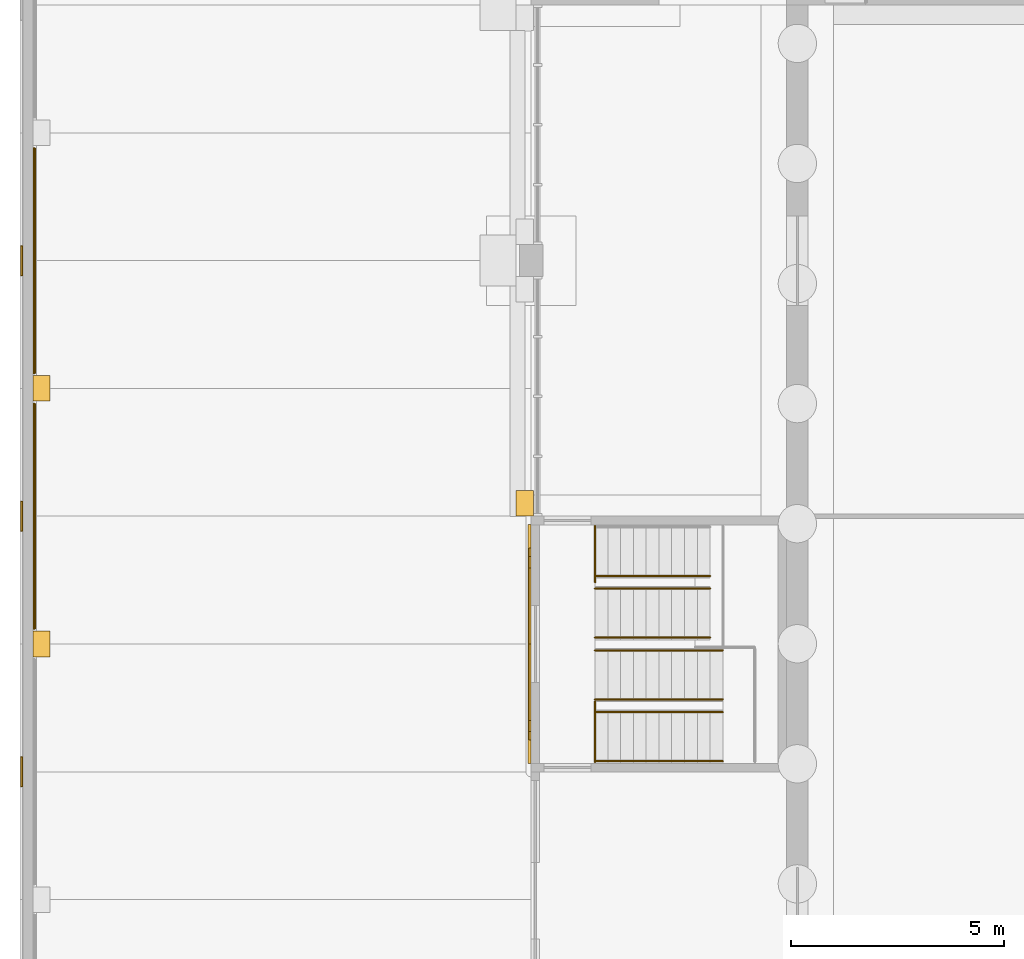
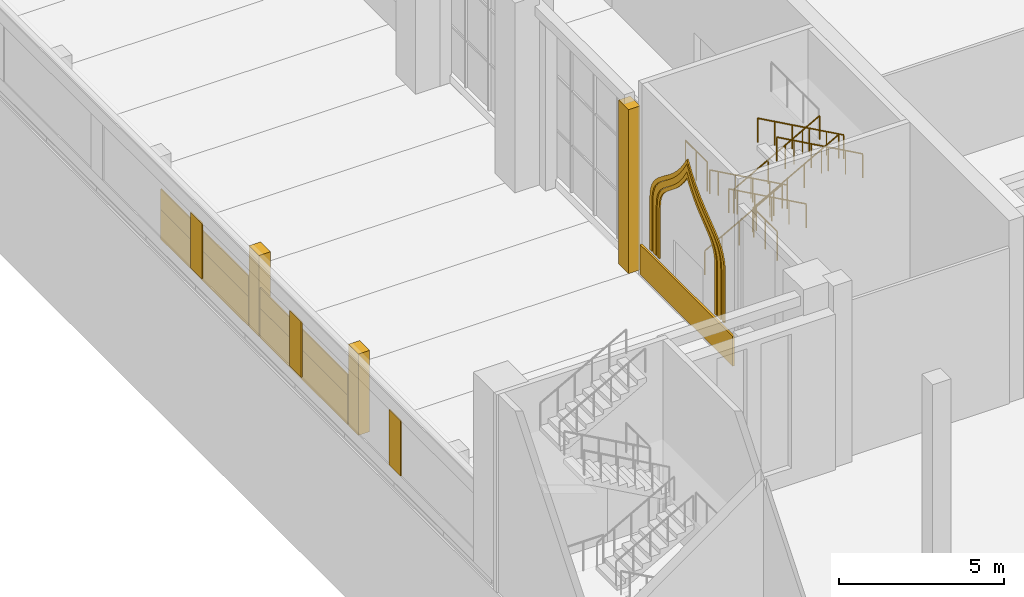
# One storey, part 66 of 95: 14 coverings, 9 railings.
"""IFC4 building model written with IfcOpenShell, lengths in metres."""

from ifc_helpers import new_model, si_unit, direction, frame, origin, origin_2d, place, context, subcontext, project, spatial, polyline, rectangle, circle, outline, extrude, material, layer, layer_set, type_object, element, save


model = new_model("IFC4")

# Units and contexts
model_context = context("Model", 3, precision=1e-05, world=origin(), true_north=direction((0.0, 1.0)))
body_context = subcontext(model_context, "Body", "Model", "MODEL_VIEW")
ifc_project = project(units=[si_unit("LENGTHUNIT", "METRE"), si_unit("AREAUNIT", "SQUARE_METRE"), si_unit("VOLUMEUNIT", "CUBIC_METRE"), si_unit("PLANEANGLEUNIT", "RADIAN"), si_unit("MASSUNIT", "GRAM", prefix="KILO")], contexts=[model_context])

# Site, building, storey
site_placement = place(None, origin())
site = spatial("IfcSite", under=ifc_project, at=site_placement, CompositionType="ELEMENT")
building_placement = place(site_placement, origin())
building = spatial("IfcBuilding", under=site, at=building_placement, Name="Saffron Lane Theatres", CompositionType="ELEMENT")
storey_placement = place(building_placement, origin())
storey = spatial("IfcBuildingStorey", under=building, at=storey_placement, Name="L00", CompositionType="ELEMENT", Elevation=0.0)

# Coverings
ifc_material_1 = material(Name="Masonry sandstone", Category="masonry")
ifc_layer_1 = layer(ifc_material_1, 0.050048828125)
ifc_layer_set_1 = layer_set([ifc_layer_1], Name="Masonry sandstone")
covering_type_1 = type_object("IfcCoveringType", Name="EX-ARCH FRAME RING SANDSTONE 50", PredefinedType="CLADDING", material=ifc_layer_set_1)
covering_1_placement = place(storey_placement, frame((12.0, 37.220947265625, 3.31103515625), z_axis=(1.0, 0.0, 0.0), x_axis=(0.0, -0.060212267817, -0.99818559537)))
element("IfcCovering", 1, at=covering_1_placement, inside=storey, type_object=covering_type_1, Name="Arch recess ring L00", PredefinedType="CLADDING", context=body_context, shape_type="SweptSolid", body=[
    extrude(outline(polyline([(0.0, 0.0), (0.18245996245064686, -1.734723475976807e-18), (2.0579571162514476, 0.11313320632846652), (2.050724587988245, 0.2330324526473327), (0.17912659666935885, 0.12013445049002722), (0.008851516974694298, 0.1208694635249055), (-0.13960380243034332, 0.14101992754420883), (-0.27042632246488074, 0.1810670310814375), (-0.3880257946657277, 0.2370760043565431), (-0.4986122624964559, 0.31062892209304366), (-0.603885402766164, 0.39746532206832463), (-0.708349375352586, 0.499270180830787), (-0.8142206528964551, 0.6122410309466604), (-0.9258563926685295, 0.7356258724131494), (-1.0450444730420934, 0.8666264289383572), (-1.175625255456271, 1.0040327057306444), (-1.3213214992646054, 1.144685126757414), (-1.4861878630399454, 1.2868716016560897), (-1.6721445275018532, 1.4299871330308516), (-1.882826050439687, 1.5694099589183848), (-2.040617995422439, 1.659192944482378), (-1.8947626621261104, 1.767292454875538), (-1.7023682634960484, 1.931029511956845), (-1.5349633280344688, 2.0954604213430774), (-1.3883840885669005, 2.256433829413242), (-1.2607103643737818, 2.4145547335631594), (-1.1475346906255224, 2.5656864804325337), (-1.0449579048402078, 2.7100642741925265), (-0.9489632424503434, 2.8459737377733414), (-0.8574394193472985, 2.9708517990542433), (-0.7659704772175246, 3.0844756674175486), (-0.6719577366421521, 3.184311671263917), (-0.5709558387862367, 3.2696496246654263), (-0.4609417011053337, 3.339388641432058), (-0.3358816832642421, 3.394871018701731), (-0.1909838269480154, 3.4336953872213822), (-0.02197296967334153, 3.4539183725267932), (1.8496250216455448, 3.5668163746840986), (1.8423924933823423, 3.6867156210029646), (-0.03310466041845825, 3.5735824146744983), (-0.2142415994063242, 3.5516496257137304), (-0.3750470978320768, 3.508930668126604), (-0.5175148377187658, 3.446039032792898), (-0.6428401135973336, 3.366571383496617), (-0.754264496287823, 3.2715551051242904), (-0.8570526391547226, 3.163118468752466), (-0.9530868289122405, 3.044082944417697), (-1.0463985303885692, 2.9164066068448986), (-1.142378492517736, 2.780253445608964), (-1.2440392887253622, 2.63690924351224), (-1.3551392856631255, 2.487859380230101), (-1.480212043730155, 2.335276227621187), (-1.6211630433853152, 2.1783110906345584), (-1.7838178346068216, 2.020281328100966), (-1.9696239030646943, 1.860855040801105), (-2.26018958268524, 1.6459480095938712), (-1.9458976822988232, 1.4675270254379955), (-1.742333698918291, 1.332566545353323), (-1.5618033906885445, 1.1942599592614251), (-1.403079775850027, 1.0565946312084007), (-1.2604990072921967, 0.9189338765698157), (-1.132287906902467, 0.7843196692926863), (-1.0141922192349622, 0.6552098929656452), (-0.9024829781593999, 0.530606563223558), (-0.7945004165069005, 0.415072640986949), (-0.6848537853434367, 0.30844413668092546), (-0.569776224533372, 0.21314953337272505), (-0.44773825361924, 0.13221610474866663), (-0.31376922445050365, 0.06838953283459553), (-0.16483336985688563, 0.024054199915656917), (0.0, 0.0)])), origin(), (0.0, 0.0, -1.0), 0.050048828125),
])
covering_2_placement = place(storey_placement, frame((12.0, 36.962890625, 3.333984375), z_axis=(1.0, 0.0, 0.0), x_axis=(0.0, -0.063270109204, -0.997996439513)))
element("IfcCovering", 2, at=covering_2_placement, inside=storey, type_object=covering_type_1, Name="Arch recess ring L00", PredefinedType="CLADDING", context=body_context, shape_type="SweptSolid", body=[
    extrude(outline(polyline([(0.0, 0.0), (0.20451131328636926, 0.0), (2.0806276668637502, 0.11894039083684353), (2.067976734383832, 0.31849094844461956), (0.19770801619422412, 0.19992128090389083), (0.0144407216005487, 0.20053419842883544), (-0.1432761019235517, 0.22258203382804242), (-0.2813055365698555, 0.2659377152798876), (-0.40748727254448935, 0.3269240290838356), (-0.5257351802433071, 0.4055374778503005), (-0.6390348645762146, 0.5025673058291871), (-0.7523176448594566, 0.6147653124425081), (-0.8697101493553678, 0.7416252505476917), (-0.9917579708393627, 0.8801769620388366), (-1.124428821741667, 1.0280850650198985), (-1.2693046879516765, 1.1832922200669196), (-1.4318505321466313, 1.3432502874173748), (-1.61456115889787, 1.5048655345333244), (-1.820983212694718, 1.6662006990332623), (-2.0556688375324716, 1.8257440342686455), (-2.188717697959195, 1.9024406220928562), (-2.066419813119802, 1.9953254605140816), (-1.8537613307928715, 2.18322912790225), (-1.6693664195068467, 2.369340966025863), (-1.5085284672263832, 2.552736206788559), (-1.367484574206089, 2.731940991928976), (-1.2433692125785105, 2.9042014185972795), (-1.1304393771943213, 3.067679900015165), (-1.0268659333000492, 3.2205353520147404), (-0.9264340196013918, 3.3612047329002017), (-0.8282273200268198, 3.486810565389676), (-0.728088312705989, 3.597371793676754), (-0.6207149550265398, 3.69028898295165), (-0.5033070037266237, 3.767696706658345), (-0.37179612037033916, 3.82716194744152), (-0.2181263594954924, 3.868950798358842), (-0.036403745302295454, 3.8927030282829542), (1.833864972887312, 4.011272695823683), (1.8212140404073933, 4.2108232534314585), (-0.05490231316998792, 4.091882862594615), (-0.25777626523185, 4.066055806298615), (-0.4400543814709548, 4.016337498842459), (-0.6007775027933451, 3.9430333789166583), (-0.7421419898590216, 3.8499182956810216), (-0.8672570220099287, 3.7397307051813806), (-0.9817455273529403, 3.6162728527959676), (-1.0873594066215049, 3.480167565320222), (-1.1904062019339534, 3.334439793296892), (-1.295867070408131, 3.1804861609673156), (-1.405753011055981, 3.0191576997974177), (-1.527512589348264, 2.8521838689374683), (-1.6619848873364846, 2.6812238882968886), (-1.8152920854909174, 2.506378890724539), (-1.9914252882274395, 2.3288636362032866), (-2.193447334475981, 2.15068562635549), (-2.5481036228327842, 1.8796565861857983), (-2.162059428738258, 1.6555858301906534), (-1.9391533034752475, 1.5043470465272013), (-1.7420896813122417, 1.3517145531137325), (-1.567913850947345, 1.1973864086493233), (-1.4128664100247506, 1.0438026252684656), (-1.2709950929182379, 0.8935422363416936), (-1.1416152856163493, 0.747382536704494), (-1.0175564651204108, 0.6079797937474251), (-0.896931206850517, 0.47643218780048757), (-0.77497460894489, 0.35475421526521117), (-0.6458116397973328, 0.2467431668845833), (-0.5077830794984254, 0.15323812471010928), (-0.3557911912774569, 0.07872099349623404), (-0.18715930630461686, 0.0272755584828641), (0.0, 0.0)])), origin(), (0.0, 0.0, -1.0), 0.050048828125),
])
covering_3_placement = place(storey_placement, frame((12.0, 36.763916015625, 3.34912109375), z_axis=(1.0, 0.0, 0.0), x_axis=(0.0, -0.063067105822, -0.998009288616)))
element("IfcCovering", 3, at=covering_3_placement, inside=storey, type_object=covering_type_1, Name="Arch recess ring L00", PredefinedType="CLADDING", context=body_context, shape_type="SweptSolid", body=[
    extrude(outline(polyline([(0.0, 0.0), (0.22065410238359984, 0.0), (2.095819992321758, 0.11849717929764414), (2.08699737229349, 0.2581112716747965), (0.21572995613898713, 0.13986044825926805), (0.01120324984086172, 0.1401457024385599), (-0.16661464303161863, 0.166826152522514), (-0.32408683559152085, 0.21607490839936183), (-0.46710723024222456, 0.28825340008036515), (-0.6001051004476012, 0.3799015700062919), (-0.7281663985634338, 0.4902087668589081), (-0.8536968762192425, 0.6185337089889348), (-0.9827851974313513, 0.7605775943042785), (-1.1168470981407341, 0.9155170755147107), (-1.261591713839184, 1.080789727293752), (-1.418829706234838, 1.2540794801970379), (-1.5953961004210881, 1.4312849950160573), (-1.7941531627651468, 1.6112468863933098), (-2.017809187207904, 1.7903692228565102), (-2.272363155580528, 1.966805145670982), (-2.4713360494485013, 2.0843733579964816), (-2.288745821741221, 2.2260536522840537), (-2.0584271132717276, 2.4331300879366635), (-1.859098732187894, 2.6389820376094155), (-1.684576929746966, 2.8425325046992453), (-1.5317222892143505, 3.04055509155704), (-1.3975493662817773, 3.232259946648473), (-1.2747612185768877, 3.414438770837703), (-1.1612700340241646, 3.5850218505624816), (-1.0510895267644345, 3.7421858281426754), (-0.9427115774009303, 3.8852921231996427), (-0.8295548101530967, 4.010842590258168), (-0.7091518844208844, 4.118503892521613), (-0.5763552588779816, 4.208112062862301), (-0.42633533175207877, 4.2767921389410235), (-0.2532905840955898, 4.325644618415389), (-0.050426780001745275, 4.35167406227577), (1.8208406361527578, 4.469924885691299), (1.8120180161244899, 4.609538978068451), (-0.06314787381366846, 4.491041798770807), (-0.28204669053719406, 4.463265173062264), (-0.4748093632101681, 4.409007991296921), (-0.6452138889458251, 4.329988531727125), (-0.7951660141787333, 4.229266523603667), (-0.9280950019828605, 4.110783931167464), (-1.0496511001501079, 3.9749175816724094), (-1.1644664475692028, 3.825288798534778), (-1.2765780932074908, 3.6638441173757603), (-1.3909823072355991, 3.4922248302345396), (-1.5116545496503437, 3.3114028542863916), (-1.6450992100191186, 3.1236580619491425), (-1.7933887031748097, 2.9308165121735614), (-1.9622040713945823, 2.7337423414364994), (-2.1560542756261065, 2.5341076362624033), (-2.3787173129826167, 2.333630674903618), (-2.718645480099129, 2.068745156724768), (-2.3480768001444785, 1.8487579980615008), (-2.101948365016449, 1.6779053315271268), (-1.8845095850723483, 1.5042611719162358), (-1.6922288190810568, 1.330005714760139), (-1.5208434619770204, 1.1573653473180439), (-1.3648264439093958, 0.987912479227884), (-1.2223517059274132, 0.8237195253225451), (-1.0872535978015876, 0.667867014636728), (-0.9557106319614249, 0.5218195761099406), (-0.8229728941184138, 0.38783439148665516), (-0.6852804856725893, 0.26835070815229334), (-0.5384939794994548, 0.16754415025789063), (-0.37705551126290276, 0.08649981821842358), (-0.19805932413846122, 0.029560004583244877), (0.0, 0.0)])), origin(), (0.0, 0.0, -1.0), 0.050048828125),
])
ifc_material_2 = material(Name="Masonry sandstone", Category="masonry")
ifc_layer_2 = layer(ifc_material_2, 0.0400390625)
ifc_layer_set_2 = layer_set([ifc_layer_2], Name="Masonry sandstone")
covering_type_2 = type_object("IfcCoveringType", Name="EX-BANDING COURSE SANDSTONE 40", PredefinedType="CLADDING", material=ifc_layer_set_2)
for number, where, z_axis, x_axis, name in (
    (4, (0.330078125, 42.0, 1.10009765625), (0.0, 0.0, 1.0), (0.0, 1.0, 0.0), "Banding course L00"),
    (5, (0.330078125, 48.0, 1.10009765625), (0.0, 0.0, 1.0), (0.0, 1.0, 0.0), "Banding course L00"),
):
    element("IfcCovering", number, at=place(storey_placement, frame(where, z_axis=z_axis, x_axis=x_axis)), inside=storey, type_object=covering_type_2, Name=name, PredefinedType="CLADDING", context=body_context, shape_type="SweptSolid", body=[
        extrude(rectangle(XDim=5.300048828125, YDim=0.0400390625, at=origin_2d()), origin(), (0.0, 0.0, 1.0), 0.75),
    ])
ifc_material_3 = material(Name="Masonry sandstone", Category="masonry")
ifc_layer_3 = layer(ifc_material_3, 0.39990234375)
ifc_layer_set_3 = layer_set([ifc_layer_3], Name="Masonry sandstone")
covering_type_3 = type_object("IfcCoveringType", Name="EX-BOUNDARY PILASTER SANDSTONE 400", PredefinedType="CLADDING", material=ifc_layer_set_3)
for number, where, z_axis, x_axis, name in (
    (6, (0.510009765625, 39.0, 0.0), (0.0, 0.0, 1.0), (0.0, 1.0, 0.0), "Boundary wall pilaster L00"),
    (7, (0.510009765625, 45.0, 0.0), (0.0, 0.0, 1.0), (0.0, 1.0, 0.0), "Boundary wall pilaster L00"),
):
    element("IfcCovering", number, at=place(storey_placement, frame(where, z_axis=z_axis, x_axis=x_axis)), inside=storey, type_object=covering_type_3, Name=name, PredefinedType="CLADDING", context=body_context, shape_type="SweptSolid", body=[
        extrude(rectangle(XDim=0.60009765625, YDim=0.39990234375, at=origin_2d()), origin(), (0.0, 0.0, 1.0), 3.0),
    ])
ifc_material_4 = material(Name="Face brick cladding, pale buff", Category="masonry")
ifc_layer_4 = layer(ifc_material_4, 0.0400390625)
ifc_layer_set_4 = layer_set([ifc_layer_4], Name="Face brick cladding, pale buff")
covering_type_4 = type_object("IfcCoveringType", Name="EX-FACE BRICK SKIN PALE BUFF 40", PredefinedType="CLADDING", material=ifc_layer_set_4)
for number, where, z_axis, x_axis, name in (
    (8, (0.0400390625, 36.0, 0.4501953125), (0.0, 0.0, 1.0), (0.0, 1.0, 0.0), "Face brick cladding, pale buff L00"),
    (9, (0.0400390625, 42.0, 0.4501953125), (0.0, 0.0, 1.0), (0.0, 1.0, 0.0), "Face brick cladding, pale buff L00"),
    (10, (0.0400390625, 48.0, 0.4501953125), (0.0, 0.0, 1.0), (0.0, 1.0, 0.0), "Face brick cladding, pale buff L00"),
):
    element("IfcCovering", number, at=place(storey_placement, frame(where, z_axis=z_axis, x_axis=x_axis)), inside=storey, type_object=covering_type_4, Name=name, PredefinedType="CLADDING", context=body_context, shape_type="SweptSolid", body=[
        extrude(rectangle(XDim=0.699951171875, YDim=0.0400390625, at=origin_2d()), origin(), (0.0, 0.0, 1.0), 2.050048828125),
    ])
ifc_material_5 = material(Name="Masonry sandstone", Category="masonry")
ifc_layer_5 = layer(ifc_material_5, 0.39990234375)
ifc_layer_set_5 = layer_set([ifc_layer_5], Name="Masonry sandstone")
covering_type_5 = type_object("IfcCoveringType", Name="EX-PILASTER PIER SANDSTONE 400", PredefinedType="CLADDING", material=ifc_layer_set_5)
covering_4_placement = place(storey_placement, frame((11.85009765625, 42.300048828125, 0.0), z_axis=(0.0, 0.0, 1.0), x_axis=(0.0, 1.0, 0.0)))
element("IfcCovering", 11, at=covering_4_placement, inside=storey, type_object=covering_type_5, Name="Pilaster pier L00", PredefinedType="CLADDING", context=body_context, shape_type="SweptSolid", body=[
    extrude(rectangle(XDim=0.60009765625, YDim=0.39990234375, at=origin_2d()), origin(), (0.0, 0.0, 1.0), 6.050048828125),
])
ifc_material_6 = material(Name="Masonry sandstone", Category="masonry")
ifc_layer_6 = layer(ifc_material_6, 0.070068359375)
ifc_layer_set_6 = layer_set([ifc_layer_6], Name="Masonry sandstone")
covering_type_6 = type_object("IfcCoveringType", Name="EX-PLINTH COURSE SANDSTONE 70", PredefinedType="CLADDING", material=ifc_layer_set_6)
covering_5_placement = place(storey_placement, frame((11.965087890625, 39.0, 0.0), z_axis=(0.0, 0.0, 1.0), x_axis=(0.0, 1.0, 0.0)))
element("IfcCovering", 12, at=covering_5_placement, inside=storey, type_object=covering_type_6, Name="Plinth course L00", PredefinedType="CLADDING", context=body_context, shape_type="SweptSolid", body=[
    extrude(rectangle(XDim=5.60009765625, YDim=0.070068359375, at=origin_2d()), origin(), (0.0, 0.0, 1.0), 1.10009765625),
])
for number, where, z_axis, x_axis, name in (
    (13, (0.344970703125, 42.0, 0.0), (0.0, 0.0, 1.0), (0.0, 1.0, 0.0), "Plinth course L00"),
    (14, (0.344970703125, 48.0, 0.0), (0.0, 0.0, 1.0), (0.0, 1.0, 0.0), "Plinth course L00"),
):
    element("IfcCovering", number, at=place(storey_placement, frame(where, z_axis=z_axis, x_axis=x_axis)), inside=storey, type_object=covering_type_6, Name=name, PredefinedType="CLADDING", context=body_context, shape_type="SweptSolid", body=[
        extrude(rectangle(XDim=5.300048828125, YDim=0.070068359375, at=origin_2d()), origin(), (0.0, 0.0, 1.0), 1.10009765625),
    ])

# Railings
ifc_material_7 = material(Name="Steel Grade 350", Category="steel")
railing_type_1 = type_object("IfcRailingType", Name="VC-GUARD 1100", PredefinedType="GUARDRAIL", material=ifc_material_7)
railing_1_placement = place(storey_placement, frame((13.5, 41.77001953125, 3.333251953125)))
element("IfcRailing", 15, at=railing_1_placement, inside=storey, type_object=railing_type_1, Name="Stage West Stair landing guard 1S2w", PredefinedType="GUARDRAIL", context=body_context, shape_type="SweptSolid", body=[
    extrude(circle(Radius=0.02392578125, at=origin_2d()), frame((0.0, 0.0, 1.076171875), z_axis=(0.0, -1.0, 0.0), x_axis=(1.0, 0.0, 0.0)), (0.0, 0.0, 1.0), 1.320068359375),
    extrude(circle(Radius=0.02099609375, at=origin_2d()), origin(), (0.0, 0.0, 1.0), 1.052001953125),
    extrude(circle(Radius=0.02099609375, at=origin_2d()), frame((0.0, -0.66015625, 0.0)), (0.0, 0.0, 1.0), 1.052001953125),
    extrude(circle(Radius=0.02099609375, at=origin_2d()), frame((0.0, -1.320068359375, 0.0)), (0.0, 0.0, 1.0), 1.052001953125),
])
railing_2_placement = place(storey_placement, frame((13.5, 37.64990234375, 3.333251953125)))
element("IfcRailing", 16, at=railing_2_placement, inside=storey, type_object=railing_type_1, Name="Stage West Stair landing guard 1S2e", PredefinedType="GUARDRAIL", context=body_context, shape_type="SweptSolid", body=[
    extrude(circle(Radius=0.02392578125, at=origin_2d()), frame((0.0, 0.0, 1.076171875), z_axis=(0.0, -1.0, 0.0), x_axis=(1.0, 0.0, 0.0)), (0.0, 0.0, 1.0), 1.419921875),
    extrude(circle(Radius=0.02099609375, at=origin_2d()), origin(), (0.0, 0.0, 1.0), 1.052001953125),
    extrude(circle(Radius=0.02099609375, at=origin_2d()), frame((0.0, -0.7099609375, 0.0)), (0.0, 0.0, 1.0), 1.052001953125),
    extrude(circle(Radius=0.02099609375, at=origin_2d()), frame((0.0, -1.419921875, 0.0)), (0.0, 0.0, 1.0), 1.052001953125),
])
ifc_material_8 = material(Name="Steel Grade 350", Category="steel")
railing_type_2 = type_object("IfcRailingType", Name="VC-HANDRAIL 900", PredefinedType="HANDRAIL", material=ifc_material_8)
railing_3_placement = place(storey_placement, frame((13.5, 40.60009765625, 0.166748046875)))
element("IfcRailing", 17, at=railing_3_placement, inside=storey, type_object=railing_type_2, Name="Stage West Stair handrail 1.1b", PredefinedType="HANDRAIL", context=body_context, shape_type="SweptSolid", body=[
    extrude(circle(Radius=0.02392578125, at=origin_2d()), frame((0.0, 0.0, 0.8759765625), z_axis=(0.874241147926, 0.0, 0.485491931212), x_axis=(0.0, 1.0, 0.0)), (0.0, 0.0, 1.0), 0.6865234375),
    extrude(circle(Radius=0.02392578125, at=origin_2d()), frame((0.60009765625, 0.0, 1.208984375), z_axis=(0.874157276122, 0.0, 0.485642931179), x_axis=(0.0, 1.0, 0.0)), (0.0, 0.0, 1.0), 0.686279296875),
    extrude(circle(Radius=0.02392578125, at=origin_2d()), frame((1.199951171875, 0.0, 1.54248046875), z_axis=(0.874090171491, 0.0, 0.485763699861), x_axis=(0.0, 1.0, 0.0)), (0.0, 0.0, 1.0), 0.6865234375),
    extrude(circle(Radius=0.02392578125, at=origin_2d()), frame((1.800048828125, 0.0, 1.8759765625), z_axis=(0.874157276122, 0.0, 0.485642931179), x_axis=(0.0, 1.0, 0.0)), (0.0, 0.0, 1.0), 0.686279296875),
    extrude(circle(Radius=0.02392578125, at=origin_2d()), frame((2.39990234375, 0.0, 2.208984375), z_axis=(0.874090171491, 0.0, 0.485763699861), x_axis=(0.0, 1.0, 0.0)), (0.0, 0.0, 1.0), 0.34326171875),
    extrude(circle(Radius=0.02099609375, at=origin_2d()), origin(), (0.0, 0.0, 1.0), 0.851806640625),
    extrude(circle(Radius=0.02099609375, at=origin_2d()), frame((0.60009765625, 0.0, 0.333251953125)), (0.0, 0.0, 1.0), 0.851806640625),
    extrude(circle(Radius=0.02099609375, at=origin_2d()), frame((1.199951171875, 0.0, 0.66650390625)), (0.0, 0.0, 1.0), 0.851806640625),
    extrude(circle(Radius=0.02099609375, at=origin_2d()), frame((1.800048828125, 0.0, 1.0)), (0.0, 0.0, 1.0), 0.851806640625),
    extrude(circle(Radius=0.02099609375, at=origin_2d()), frame((2.39990234375, 0.0, 1.333251953125)), (0.0, 0.0, 1.0), 0.851806640625),
    extrude(circle(Radius=0.02099609375, at=origin_2d()), frame((2.699951171875, 0.0, 1.5)), (0.0, 0.0, 1.0), 0.851806640625),
])
railing_4_placement = place(storey_placement, frame((16.199951171875, 40.300048828125, 1.833251953125)))
element("IfcRailing", 18, at=railing_4_placement, inside=storey, type_object=railing_type_2, Name="Stage West Stair handrail 1.2a", PredefinedType="HANDRAIL", context=body_context, shape_type="SweptSolid", body=[
    extrude(circle(Radius=0.02392578125, at=origin_2d()), frame((0.0, 0.0, 0.8759765625), z_axis=(-0.874006220275, 0.0, 0.485914732151), x_axis=(0.0, -1.0, 0.0)), (0.0, 0.0, 1.0), 0.686279296875),
    extrude(circle(Radius=0.02392578125, at=origin_2d()), frame((-0.599853515625, 0.0, 1.20947265625), z_axis=(-0.874241147926, 0.0, 0.485491931212), x_axis=(0.0, -1.0, 0.0)), (0.0, 0.0, 1.0), 0.6865234375),
    extrude(circle(Radius=0.02392578125, at=origin_2d()), frame((-1.199951171875, 0.0, 1.54248046875), z_axis=(-0.874241147926, 0.0, 0.485491931212), x_axis=(0.0, -1.0, 0.0)), (0.0, 0.0, 1.0), 0.6865234375),
    extrude(circle(Radius=0.02392578125, at=origin_2d()), frame((-1.800048828125, 0.0, 1.8759765625), z_axis=(-0.874006220275, 0.0, 0.485914732151), x_axis=(0.0, -1.0, 0.0)), (0.0, 0.0, 1.0), 0.686279296875),
    extrude(circle(Radius=0.02392578125, at=origin_2d()), frame((-2.39990234375, 0.0, 2.20947265625), z_axis=(-0.87439209197, 0.0, 0.485220021744), x_axis=(0.0, -1.0, 0.0)), (0.0, 0.0, 1.0), 0.34326171875),
    extrude(circle(Radius=0.02099609375, at=origin_2d()), origin(), (0.0, 0.0, 1.0), 0.851806640625),
    extrude(circle(Radius=0.02099609375, at=origin_2d()), frame((-0.599853515625, 0.0, 0.33349609375)), (0.0, 0.0, 1.0), 0.851806640625),
    extrude(circle(Radius=0.02099609375, at=origin_2d()), frame((-1.199951171875, 0.0, 0.666748046875)), (0.0, 0.0, 1.0), 0.851806640625),
    extrude(circle(Radius=0.02099609375, at=origin_2d()), frame((-1.800048828125, 0.0, 1.0)), (0.0, 0.0, 1.0), 0.851806640625),
    extrude(circle(Radius=0.02099609375, at=origin_2d()), frame((-2.39990234375, 0.0, 1.33349609375)), (0.0, 0.0, 1.0), 0.851806640625),
    extrude(circle(Radius=0.02099609375, at=origin_2d()), frame((-2.699951171875, 0.0, 1.5)), (0.0, 0.0, 1.0), 0.851806640625),
])
railing_5_placement = place(storey_placement, frame((16.199951171875, 39.14990234375, 1.833251953125)))
element("IfcRailing", 19, at=railing_5_placement, inside=storey, type_object=railing_type_2, Name="Stage West Stair handrail 1.2b", PredefinedType="HANDRAIL", context=body_context, shape_type="SweptSolid", body=[
    extrude(circle(Radius=0.02392578125, at=origin_2d()), frame((0.0, 0.0, 0.8759765625), z_axis=(-0.874006220275, 0.0, 0.485914732151), x_axis=(0.0, -1.0, 0.0)), (0.0, 0.0, 1.0), 0.686279296875),
    extrude(circle(Radius=0.02392578125, at=origin_2d()), frame((-0.599853515625, 0.0, 1.20947265625), z_axis=(-0.874241147926, 0.0, 0.485491931212), x_axis=(0.0, -1.0, 0.0)), (0.0, 0.0, 1.0), 0.6865234375),
    extrude(circle(Radius=0.02392578125, at=origin_2d()), frame((-1.199951171875, 0.0, 1.54248046875), z_axis=(-0.874241147926, 0.0, 0.485491931212), x_axis=(0.0, -1.0, 0.0)), (0.0, 0.0, 1.0), 0.6865234375),
    extrude(circle(Radius=0.02392578125, at=origin_2d()), frame((-1.800048828125, 0.0, 1.8759765625), z_axis=(-0.874006220275, 0.0, 0.485914732151), x_axis=(0.0, -1.0, 0.0)), (0.0, 0.0, 1.0), 0.686279296875),
    extrude(circle(Radius=0.02392578125, at=origin_2d()), frame((-2.39990234375, 0.0, 2.20947265625), z_axis=(-0.87439209197, 0.0, 0.485220021744), x_axis=(0.0, -1.0, 0.0)), (0.0, 0.0, 1.0), 0.34326171875),
    extrude(circle(Radius=0.02099609375, at=origin_2d()), origin(), (0.0, 0.0, 1.0), 0.851806640625),
    extrude(circle(Radius=0.02099609375, at=origin_2d()), frame((-0.599853515625, 0.0, 0.33349609375)), (0.0, 0.0, 1.0), 0.851806640625),
    extrude(circle(Radius=0.02099609375, at=origin_2d()), frame((-1.199951171875, 0.0, 0.666748046875)), (0.0, 0.0, 1.0), 0.851806640625),
    extrude(circle(Radius=0.02099609375, at=origin_2d()), frame((-1.800048828125, 0.0, 1.0)), (0.0, 0.0, 1.0), 0.851806640625),
    extrude(circle(Radius=0.02099609375, at=origin_2d()), frame((-2.39990234375, 0.0, 1.33349609375)), (0.0, 0.0, 1.0), 0.851806640625),
    extrude(circle(Radius=0.02099609375, at=origin_2d()), frame((-2.699951171875, 0.0, 1.5)), (0.0, 0.0, 1.0), 0.851806640625),
])
railing_6_placement = place(storey_placement, frame((13.5, 38.85009765625, 3.5)))
element("IfcRailing", 20, at=railing_6_placement, inside=storey, type_object=railing_type_2, Name="Stage West Stair handrail 1.3a", PredefinedType="HANDRAIL", context=body_context, shape_type="SweptSolid", body=[
    extrude(circle(Radius=0.02392578125, at=origin_2d()), frame((0.0, 0.0, 0.8759765625), z_axis=(0.874241147926, 0.0, 0.485491931212), x_axis=(0.0, 1.0, 0.0)), (0.0, 0.0, 1.0), 0.6865234375),
    extrude(circle(Radius=0.02392578125, at=origin_2d()), frame((0.60009765625, 0.0, 1.208984375), z_axis=(0.874006220275, 0.0, 0.485914732151), x_axis=(0.0, 1.0, 0.0)), (0.0, 0.0, 1.0), 0.686279296875),
    extrude(circle(Radius=0.02392578125, at=origin_2d()), frame((1.199951171875, 0.0, 1.54248046875), z_axis=(0.874241147926, 0.0, 0.485491931212), x_axis=(0.0, 1.0, 0.0)), (0.0, 0.0, 1.0), 0.6865234375),
    extrude(circle(Radius=0.02392578125, at=origin_2d()), frame((1.800048828125, 0.0, 1.8759765625), z_axis=(0.874157276122, 0.0, 0.485642931179), x_axis=(0.0, 1.0, 0.0)), (0.0, 0.0, 1.0), 0.686279296875),
    extrude(circle(Radius=0.02392578125, at=origin_2d()), frame((2.39990234375, 0.0, 2.208984375), z_axis=(0.874090171491, 0.0, 0.485763699861), x_axis=(0.0, 1.0, 0.0)), (0.0, 0.0, 1.0), 0.6865234375),
    extrude(circle(Radius=0.02099609375, at=origin_2d()), origin(), (0.0, 0.0, 1.0), 0.851806640625),
    extrude(circle(Radius=0.02099609375, at=origin_2d()), frame((0.60009765625, 0.0, 0.333251953125)), (0.0, 0.0, 1.0), 0.851806640625),
    extrude(circle(Radius=0.02099609375, at=origin_2d()), frame((1.199951171875, 0.0, 0.666748046875)), (0.0, 0.0, 1.0), 0.851806640625),
    extrude(circle(Radius=0.02099609375, at=origin_2d()), frame((1.800048828125, 0.0, 1.0)), (0.0, 0.0, 1.0), 0.851806640625),
    extrude(circle(Radius=0.02099609375, at=origin_2d()), frame((2.39990234375, 0.0, 1.333251953125)), (0.0, 0.0, 1.0), 0.851806640625),
    extrude(circle(Radius=0.02099609375, at=origin_2d()), frame((3.0, 0.0, 1.666748046875)), (0.0, 0.0, 1.0), 0.851806640625),
])
railing_7_placement = place(storey_placement, frame((13.5, 37.699951171875, 3.5)))
element("IfcRailing", 21, at=railing_7_placement, inside=storey, type_object=railing_type_2, Name="Stage West Stair handrail 1.3b", PredefinedType="HANDRAIL", context=body_context, shape_type="SweptSolid", body=[
    extrude(circle(Radius=0.02392578125, at=origin_2d()), frame((0.0, 0.0, 0.8759765625), z_axis=(0.874241147926, 0.0, 0.485491931212), x_axis=(0.0, 1.0, 0.0)), (0.0, 0.0, 1.0), 0.6865234375),
    extrude(circle(Radius=0.02392578125, at=origin_2d()), frame((0.60009765625, 0.0, 1.208984375), z_axis=(0.874006220275, 0.0, 0.485914732151), x_axis=(0.0, 1.0, 0.0)), (0.0, 0.0, 1.0), 0.686279296875),
    extrude(circle(Radius=0.02392578125, at=origin_2d()), frame((1.199951171875, 0.0, 1.54248046875), z_axis=(0.874241147926, 0.0, 0.485491931212), x_axis=(0.0, 1.0, 0.0)), (0.0, 0.0, 1.0), 0.6865234375),
    extrude(circle(Radius=0.02392578125, at=origin_2d()), frame((1.800048828125, 0.0, 1.8759765625), z_axis=(0.874157276122, 0.0, 0.485642931179), x_axis=(0.0, 1.0, 0.0)), (0.0, 0.0, 1.0), 0.686279296875),
    extrude(circle(Radius=0.02392578125, at=origin_2d()), frame((2.39990234375, 0.0, 2.208984375), z_axis=(0.874090171491, 0.0, 0.485763699861), x_axis=(0.0, 1.0, 0.0)), (0.0, 0.0, 1.0), 0.6865234375),
    extrude(circle(Radius=0.02099609375, at=origin_2d()), origin(), (0.0, 0.0, 1.0), 0.851806640625),
    extrude(circle(Radius=0.02099609375, at=origin_2d()), frame((0.60009765625, 0.0, 0.333251953125)), (0.0, 0.0, 1.0), 0.851806640625),
    extrude(circle(Radius=0.02099609375, at=origin_2d()), frame((1.199951171875, 0.0, 0.666748046875)), (0.0, 0.0, 1.0), 0.851806640625),
    extrude(circle(Radius=0.02099609375, at=origin_2d()), frame((1.800048828125, 0.0, 1.0)), (0.0, 0.0, 1.0), 0.851806640625),
    extrude(circle(Radius=0.02099609375, at=origin_2d()), frame((2.39990234375, 0.0, 1.333251953125)), (0.0, 0.0, 1.0), 0.851806640625),
    extrude(circle(Radius=0.02099609375, at=origin_2d()), frame((3.0, 0.0, 1.666748046875)), (0.0, 0.0, 1.0), 0.851806640625),
])
railing_8_placement = place(storey_placement, frame((16.5, 37.39990234375, 5.333251953125)))
element("IfcRailing", 22, at=railing_8_placement, inside=storey, type_object=railing_type_2, Name="Stage West Stair handrail 1.4a", PredefinedType="HANDRAIL", context=body_context, shape_type="SweptSolid", body=[
    extrude(circle(Radius=0.02392578125, at=origin_2d()), frame((0.0, 0.0, 0.8759765625), z_axis=(-0.874090171491, 0.0, 0.485763699861), x_axis=(0.0, -1.0, 0.0)), (0.0, 0.0, 1.0), 0.6865234375),
    extrude(circle(Radius=0.02392578125, at=origin_2d()), frame((-0.60009765625, 0.0, 1.20947265625), z_axis=(-0.874157276122, 0.0, 0.485642931179), x_axis=(0.0, -1.0, 0.0)), (0.0, 0.0, 1.0), 0.686279296875),
    extrude(circle(Radius=0.02392578125, at=origin_2d()), frame((-1.199951171875, 0.0, 1.54248046875), z_axis=(-0.874241147926, 0.0, 0.485491931212), x_axis=(0.0, -1.0, 0.0)), (0.0, 0.0, 1.0), 0.6865234375),
    extrude(circle(Radius=0.02392578125, at=origin_2d()), frame((-1.800048828125, 0.0, 1.8759765625), z_axis=(-0.874006220275, 0.0, 0.485914732151), x_axis=(0.0, -1.0, 0.0)), (0.0, 0.0, 1.0), 0.686279296875),
    extrude(circle(Radius=0.02392578125, at=origin_2d()), frame((-2.39990234375, 0.0, 2.20947265625), z_axis=(-0.874241147926, 0.0, 0.485491931212), x_axis=(0.0, -1.0, 0.0)), (0.0, 0.0, 1.0), 0.6865234375),
    extrude(circle(Radius=0.02099609375, at=origin_2d()), origin(), (0.0, 0.0, 1.0), 0.851806640625),
    extrude(circle(Radius=0.02099609375, at=origin_2d()), frame((-0.60009765625, 0.0, 0.33349609375)), (0.0, 0.0, 1.0), 0.851806640625),
    extrude(circle(Radius=0.02099609375, at=origin_2d()), frame((-1.199951171875, 0.0, 0.666748046875)), (0.0, 0.0, 1.0), 0.851806640625),
    extrude(circle(Radius=0.02099609375, at=origin_2d()), frame((-1.800048828125, 0.0, 1.0)), (0.0, 0.0, 1.0), 0.851806640625),
    extrude(circle(Radius=0.02099609375, at=origin_2d()), frame((-2.39990234375, 0.0, 1.33349609375)), (0.0, 0.0, 1.0), 0.851806640625),
    extrude(circle(Radius=0.02099609375, at=origin_2d()), frame((-3.0, 0.0, 1.666748046875)), (0.0, 0.0, 1.0), 0.851806640625),
])
railing_9_placement = place(storey_placement, frame((16.5, 36.25, 5.333251953125)))
element("IfcRailing", 23, at=railing_9_placement, inside=storey, type_object=railing_type_2, Name="Stage West Stair handrail 1.4b", PredefinedType="HANDRAIL", context=body_context, shape_type="SweptSolid", body=[
    extrude(circle(Radius=0.02392578125, at=origin_2d()), frame((0.0, 0.0, 0.8759765625), z_axis=(-0.874090171491, 0.0, 0.485763699861), x_axis=(0.0, -1.0, 0.0)), (0.0, 0.0, 1.0), 0.6865234375),
    extrude(circle(Radius=0.02392578125, at=origin_2d()), frame((-0.60009765625, 0.0, 1.20947265625), z_axis=(-0.874157276122, 0.0, 0.485642931179), x_axis=(0.0, -1.0, 0.0)), (0.0, 0.0, 1.0), 0.686279296875),
    extrude(circle(Radius=0.02392578125, at=origin_2d()), frame((-1.199951171875, 0.0, 1.54248046875), z_axis=(-0.874241147926, 0.0, 0.485491931212), x_axis=(0.0, -1.0, 0.0)), (0.0, 0.0, 1.0), 0.6865234375),
    extrude(circle(Radius=0.02392578125, at=origin_2d()), frame((-1.800048828125, 0.0, 1.8759765625), z_axis=(-0.874006220275, 0.0, 0.485914732151), x_axis=(0.0, -1.0, 0.0)), (0.0, 0.0, 1.0), 0.686279296875),
    extrude(circle(Radius=0.02392578125, at=origin_2d()), frame((-2.39990234375, 0.0, 2.20947265625), z_axis=(-0.874241147926, 0.0, 0.485491931212), x_axis=(0.0, -1.0, 0.0)), (0.0, 0.0, 1.0), 0.6865234375),
    extrude(circle(Radius=0.02099609375, at=origin_2d()), origin(), (0.0, 0.0, 1.0), 0.851806640625),
    extrude(circle(Radius=0.02099609375, at=origin_2d()), frame((-0.60009765625, 0.0, 0.33349609375)), (0.0, 0.0, 1.0), 0.851806640625),
    extrude(circle(Radius=0.02099609375, at=origin_2d()), frame((-1.199951171875, 0.0, 0.666748046875)), (0.0, 0.0, 1.0), 0.851806640625),
    extrude(circle(Radius=0.02099609375, at=origin_2d()), frame((-1.800048828125, 0.0, 1.0)), (0.0, 0.0, 1.0), 0.851806640625),
    extrude(circle(Radius=0.02099609375, at=origin_2d()), frame((-2.39990234375, 0.0, 1.33349609375)), (0.0, 0.0, 1.0), 0.851806640625),
    extrude(circle(Radius=0.02099609375, at=origin_2d()), frame((-3.0, 0.0, 1.666748046875)), (0.0, 0.0, 1.0), 0.851806640625),
])

save(model, "model.ifc")
